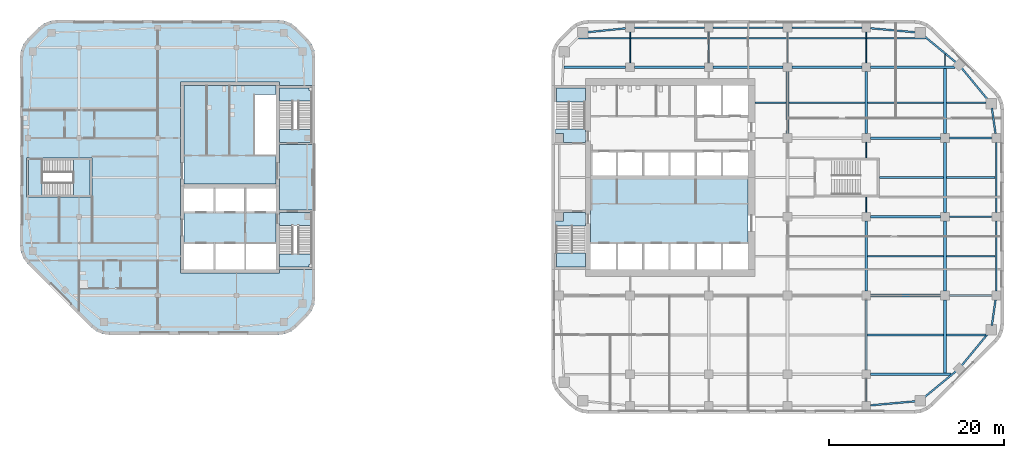
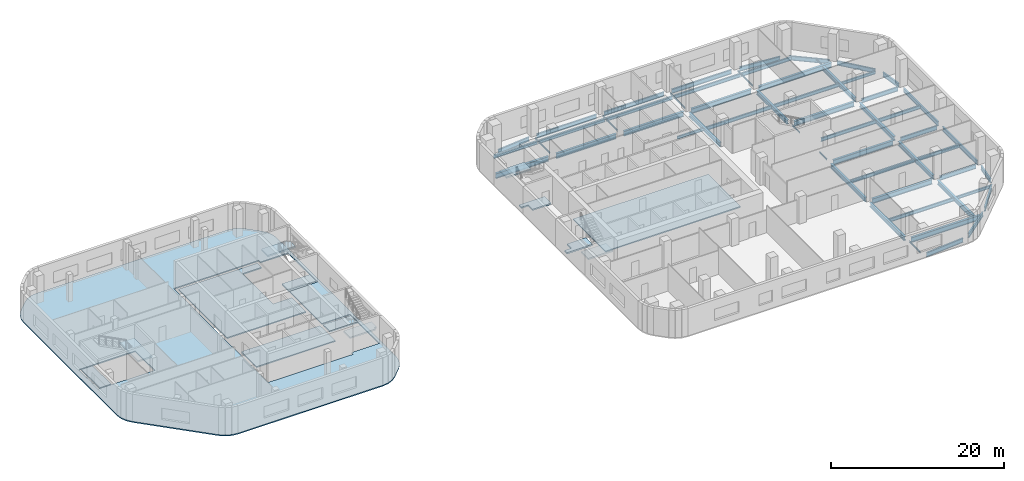
# One storey, part 3 of 14: 57 beams, 14 slabs, 5 elements without a shape of their own.
"""IFC4 building model written with IfcOpenShell, lengths in metres."""

from ifc_helpers import new_model, si_unit, direction, frame, origin, origin_2d, place, context, subcontext, project, spatial, polyline, i_section, outline, extrude, material, layer, layer_set, material_profile, profile_set, type_object, element, aggregate, save


model = new_model("IFC4")

# Units and contexts
model_context = context("Model", 3, precision=1e-05, world=origin(), true_north=direction((0.0, 1.0)))
body_context = subcontext(model_context, "Body", "Model", "MODEL_VIEW")
ifc_project = project(units=[si_unit("LENGTHUNIT", "METRE"), si_unit("AREAUNIT", "SQUARE_METRE"), si_unit("VOLUMEUNIT", "CUBIC_METRE"), si_unit("PLANEANGLEUNIT", "RADIAN"), si_unit("MASSUNIT", "GRAM", prefix="KILO")], contexts=[model_context])

# Site, building, storey
site_placement = place(None, origin())
site = spatial("IfcSite", under=ifc_project, at=site_placement, CompositionType="ELEMENT")
building_placement = place(site_placement, origin())
building = spatial("IfcBuilding", under=site, at=building_placement, Name="Cinnabar Reach Civic Tower", CompositionType="ELEMENT")
storey_placement = place(building_placement, frame((0.0, 0.0, 128.0)))
storey = spatial("IfcBuildingStorey", under=building, at=storey_placement, Name="L30", CompositionType="ELEMENT", Elevation=128.0)

# Beams
ifc_material_1 = material(Name="Steel Q355B", Category="steel")
ifc_material_profile_1 = material_profile(ifc_material_1, i_section(OverallWidth=0.302, OverallDepth=0.594, WebThickness=0.014, FlangeThickness=0.023, FilletRadius=0.016, at=origin_2d()), Name="HM594x302x14x23")
ifc_profile_set_1 = profile_set([ifc_material_profile_1], Name="Steel Q355B")
beam_type_1 = type_object("IfcBeamType", Name="HM594x302x14x23 beam R 180", PredefinedType="BEAM", material=ifc_profile_set_1)
beam_1_placement = place(storey_placement, frame((27.0, 36.502, -0.447), z_axis=(0.0, 1.0, 0.0), x_axis=(-1.0, 0.0, 0.0)))
element("IfcBeam", 1, at=beam_1_placement, inside=storey, type_object=beam_type_1, Name="Girder T1 L30 13", PredefinedType="BEAM", context=body_context, shape_type="SweptSolid", body=[
    extrude(i_section(OverallWidth=0.302, OverallDepth=0.594, WebThickness=0.014, FlangeThickness=0.023, FilletRadius=0.016, at=origin_2d()), origin(), (0.0, 0.0, 1.0), 7.096),
])
for number, where, z_axis, x_axis, name in (
    (2, (36.0, 9.502, -0.447), (0.0, 1.0, 0.0), (-1.0, 0.0, 0.0), "Girder T1 L30 16"),
    (3, (36.0, 18.502, -0.447), (0.0, 1.0, 0.0), (-1.0, 0.0, 0.0), "Girder T1 L30 17"),
):
    element("IfcBeam", number, at=place(storey_placement, frame(where, z_axis=z_axis, x_axis=x_axis)), inside=storey, type_object=beam_type_1, Name=name, PredefinedType="BEAM", context=body_context, shape_type="SweptSolid", body=[
        extrude(i_section(OverallWidth=0.302, OverallDepth=0.594, WebThickness=0.014, FlangeThickness=0.023, FilletRadius=0.016, at=origin_2d()), origin(), (0.0, 0.0, 1.0), 7.996),
    ])
beam_2_placement = place(storey_placement, frame((36.0, 36.502, -0.447), z_axis=(0.0, 1.0, 0.0), x_axis=(-1.0, 0.0, 0.0)))
element("IfcBeam", 4, at=beam_2_placement, inside=storey, type_object=beam_type_1, Name="Girder T1 L30 20", PredefinedType="BEAM", context=body_context, shape_type="SweptSolid", body=[
    extrude(i_section(OverallWidth=0.302, OverallDepth=0.594, WebThickness=0.014, FlangeThickness=0.023, FilletRadius=0.016, at=origin_2d()), origin(), (0.0, 0.0, 1.0), 7.096),
])
beam_3_placement = place(storey_placement, frame((45.0, 9.152, -0.447), z_axis=(0.0, 1.0, 0.0), x_axis=(-1.0, 0.0, 0.0)))
element("IfcBeam", 5, at=beam_3_placement, inside=storey, type_object=beam_type_1, Name="Girder T1 L30 22", PredefinedType="BEAM", context=body_context, shape_type="SweptSolid", body=[
    extrude(i_section(OverallWidth=0.302, OverallDepth=0.594, WebThickness=0.014, FlangeThickness=0.023, FilletRadius=0.016, at=origin_2d()), origin(), (0.0, 0.0, 1.0), 8.346),
])
for number, where, z_axis, x_axis, name in (
    (6, (45.0, 18.502, -0.447), (0.0, 1.0, 0.0), (-1.0, 0.0, 0.0), "Girder T1 L30 23"),
    (7, (45.0, 27.502, -0.447), (0.0, 1.0, 0.0), (-1.0, 0.0, 0.0), "Girder T1 L30 24"),
):
    element("IfcBeam", number, at=place(storey_placement, frame(where, z_axis=z_axis, x_axis=x_axis)), inside=storey, type_object=beam_type_1, Name=name, PredefinedType="BEAM", context=body_context, shape_type="SweptSolid", body=[
        extrude(i_section(OverallWidth=0.302, OverallDepth=0.594, WebThickness=0.014, FlangeThickness=0.023, FilletRadius=0.016, at=origin_2d()), origin(), (0.0, 0.0, 1.0), 7.996),
    ])
beam_4_placement = place(storey_placement, frame((45.0, 36.502, -0.447), z_axis=(0.0, 1.0, 0.0), x_axis=(-1.0, 0.0, 0.0)))
element("IfcBeam", 8, at=beam_4_placement, inside=storey, type_object=beam_type_1, Name="Girder T1 L30 25", PredefinedType="BEAM", context=body_context, shape_type="SweptSolid", body=[
    extrude(i_section(OverallWidth=0.302, OverallDepth=0.594, WebThickness=0.014, FlangeThickness=0.023, FilletRadius=0.016, at=origin_2d()), origin(), (0.0, 0.0, 1.0), 7.446),
])
ifc_material_profile_2 = material_profile(ifc_material_1, i_section(OverallWidth=0.099, OverallDepth=0.198, WebThickness=0.0045, FlangeThickness=0.007, FilletRadius=0.013, at=origin_2d()), Name="HN200x100x5.5x8")
ifc_profile_set_2 = profile_set([ifc_material_profile_2], Name="Steel Q355B")
beam_type_2 = type_object("IfcBeamType", Name="HN200x100x5.5x8 beam R 180", PredefinedType="BEAM", material=ifc_profile_set_2)
for number, where, z_axis, x_axis, name in (
    (9, (9.0, 44.602, -0.249), (0.0, 1.0, 0.0), (-1.0, 0.0, 0.0), "Girder T1 L30 4"),
    (10, (18.0, 44.602, -0.249), (0.0, 1.0, 0.0), (-1.0, 0.0, 0.0), "Girder T1 L30 8"),
    (11, (27.0, 44.602, -0.249), (0.0, 1.0, 0.0), (-1.0, 0.0, 0.0), "Girder T1 L30 14"),
):
    element("IfcBeam", number, at=place(storey_placement, frame(where, z_axis=z_axis, x_axis=x_axis)), inside=storey, type_object=beam_type_2, Name=name, PredefinedType="BEAM", context=body_context, shape_type="SweptSolid", body=[
        extrude(i_section(OverallWidth=0.099, OverallDepth=0.198, WebThickness=0.0045, FlangeThickness=0.007, FilletRadius=0.013, at=origin_2d()), origin(), (0.0, 0.0, 1.0), 3.496),
    ])
beam_5_placement = place(storey_placement, frame((36.0, 5.902, -0.249), z_axis=(0.0, 1.0, 0.0), x_axis=(-1.0, 0.0, 0.0)))
element("IfcBeam", 12, at=beam_5_placement, inside=storey, type_object=beam_type_2, Name="Girder T1 L30 15", PredefinedType="BEAM", context=body_context, shape_type="SweptSolid", body=[
    extrude(i_section(OverallWidth=0.099, OverallDepth=0.198, WebThickness=0.0045, FlangeThickness=0.007, FilletRadius=0.013, at=origin_2d()), origin(), (0.0, 0.0, 1.0), 2.596),
])
for number, where, z_axis, x_axis, name in (
    (13, (36.0, 27.502, -0.249), (0.0, 1.0, 0.0), (-1.0, 0.0, 0.0), "Girder T1 L30 18"),
    (14, (36.0, 33.752, -0.249), (0.0, 1.0, 0.0), (-1.0, 0.0, 0.0), "Girder T1 L30 19"),
):
    element("IfcBeam", number, at=place(storey_placement, frame(where, z_axis=z_axis, x_axis=x_axis)), inside=storey, type_object=beam_type_2, Name=name, PredefinedType="BEAM", context=body_context, shape_type="SweptSolid", body=[
        extrude(i_section(OverallWidth=0.099, OverallDepth=0.198, WebThickness=0.0045, FlangeThickness=0.007, FilletRadius=0.013, at=origin_2d()), origin(), (0.0, 0.0, 1.0), 1.746),
    ])
beam_6_placement = place(storey_placement, frame((36.0, 44.602, -0.249), z_axis=(0.0, 1.0, 0.0), x_axis=(-1.0, 0.0, 0.0)))
element("IfcBeam", 15, at=beam_6_placement, inside=storey, type_object=beam_type_2, Name="Girder T1 L30 21", PredefinedType="BEAM", context=body_context, shape_type="SweptSolid", body=[
    extrude(i_section(OverallWidth=0.099, OverallDepth=0.198, WebThickness=0.0045, FlangeThickness=0.007, FilletRadius=0.013, at=origin_2d()), origin(), (0.0, 0.0, 1.0), 3.496),
])
beam_7_placement = place(storey_placement, frame((45.0, 44.252, -0.249), z_axis=(0.0, 1.0, 0.0), x_axis=(-1.0, 0.0, 0.0)))
element("IfcBeam", 16, at=beam_7_placement, inside=storey, type_object=beam_type_2, Name="Girder T1 L30 26", PredefinedType="BEAM", context=body_context, shape_type="SweptSolid", body=[
    extrude(i_section(OverallWidth=0.099, OverallDepth=0.198, WebThickness=0.0045, FlangeThickness=0.007, FilletRadius=0.013, at=origin_2d()), origin(), (0.0, 0.0, 1.0), 1.3103),
])
ifc_material_profile_3 = material_profile(ifc_material_1, i_section(OverallWidth=0.199, OverallDepth=0.396, WebThickness=0.007, FlangeThickness=0.011, FilletRadius=0.013, at=origin_2d()), Name="HN396x199x7x11")
ifc_profile_set_3 = profile_set([ifc_material_profile_3], Name="Steel Q355B")
beam_type_3 = type_object("IfcBeamType", Name="HN396x199x7x11 beam R 180", PredefinedType="BEAM", material=ifc_profile_set_3)
beam_8_placement = place(storey_placement, frame((45.153, 13.5, -0.348), z_axis=(1.0, 0.0, 0.0), x_axis=(0.0, 1.0, 0.0)))
element("IfcBeam", 17, at=beam_8_placement, inside=storey, type_object=beam_type_3, Name="Secondary beam T1 L30 6", PredefinedType="BEAM", context=body_context, shape_type="SweptSolid", body=[
    extrude(i_section(OverallWidth=0.199, OverallDepth=0.396, WebThickness=0.007, FlangeThickness=0.011, FilletRadius=0.013, at=origin_2d()), origin(), (0.0, 0.0, 1.0), 4.5152),
])
beam_9_placement = place(storey_placement, frame((23.302, 40.05, -0.348), z_axis=(1.0, 0.0, 0.0), x_axis=(0.0, 1.0, 0.0)))
element("IfcBeam", 18, at=beam_9_placement, inside=storey, type_object=beam_type_3, Name="Secondary beam T1 L30 16", PredefinedType="BEAM", context=body_context, shape_type="SweptSolid", body=[
    extrude(i_section(OverallWidth=0.199, OverallDepth=0.396, WebThickness=0.007, FlangeThickness=0.011, FilletRadius=0.013, at=origin_2d()), origin(), (0.0, 0.0, 1.0), 3.545),
])
beam_10_placement = place(storey_placement, frame((45.153, 40.05, -0.348), z_axis=(1.0, 0.0, 0.0), x_axis=(0.0, 1.0, 0.0)))
element("IfcBeam", 19, at=beam_10_placement, inside=storey, type_object=beam_type_3, Name="Secondary beam T1 L30 19", PredefinedType="BEAM", context=body_context, shape_type="SweptSolid", body=[
    extrude(i_section(OverallWidth=0.199, OverallDepth=0.396, WebThickness=0.007, FlangeThickness=0.011, FilletRadius=0.013, at=origin_2d()), origin(), (0.0, 0.0, 1.0), 4.5419),
])
ifc_material_profile_4 = material_profile(ifc_material_1, i_section(OverallWidth=0.199, OverallDepth=0.496, WebThickness=0.009, FlangeThickness=0.014, FilletRadius=0.016, at=origin_2d()), Name="HN496x199x9x14")
ifc_profile_set_4 = profile_set([ifc_material_profile_4], Name="Steel Q355B")
beam_type_4 = type_object("IfcBeamType", Name="HN496x199x9x14 beam R 180", PredefinedType="BEAM", material=ifc_profile_set_4)
for number, where, z_axis, x_axis, name in (
    (20, (36.153, 13.5, -0.398), (1.0, 0.0, 0.0), (0.0, 1.0, 0.0), "Secondary beam T1 L30 5"),
    (21, (36.153, 22.5, -0.398), (1.0, 0.0, 0.0), (0.0, 1.0, 0.0), "Secondary beam T1 L30 9"),
):
    element("IfcBeam", number, at=place(storey_placement, frame(where, z_axis=z_axis, x_axis=x_axis)), inside=storey, type_object=beam_type_4, Name=name, PredefinedType="BEAM", context=body_context, shape_type="SweptSolid", body=[
        extrude(i_section(OverallWidth=0.199, OverallDepth=0.496, WebThickness=0.009, FlangeThickness=0.014, FilletRadius=0.016, at=origin_2d()), origin(), (0.0, 0.0, 1.0), 8.694),
    ])
beam_11_placement = place(storey_placement, frame((45.153, 22.5, -0.398), z_axis=(1.0, 0.0, 0.0), x_axis=(0.0, 1.0, 0.0)))
element("IfcBeam", 22, at=beam_11_placement, inside=storey, type_object=beam_type_4, Name="Secondary beam T1 L30 10", PredefinedType="BEAM", context=body_context, shape_type="SweptSolid", body=[
    extrude(i_section(OverallWidth=0.199, OverallDepth=0.496, WebThickness=0.009, FlangeThickness=0.014, FilletRadius=0.016, at=origin_2d()), origin(), (0.0, 0.0, 1.0), 5.595),
])
beam_12_placement = place(storey_placement, frame((37.502, 31.5, -0.398), z_axis=(1.0, 0.0, 0.0), x_axis=(0.0, 1.0, 0.0)))
element("IfcBeam", 23, at=beam_12_placement, inside=storey, type_object=beam_type_4, Name="Secondary beam T1 L30 14", PredefinedType="BEAM", context=body_context, shape_type="SweptSolid", body=[
    extrude(i_section(OverallWidth=0.199, OverallDepth=0.496, WebThickness=0.009, FlangeThickness=0.014, FilletRadius=0.016, at=origin_2d()), origin(), (0.0, 0.0, 1.0), 7.345),
])
beam_13_placement = place(storey_placement, frame((45.153, 31.5, -0.398), z_axis=(1.0, 0.0, 0.0), x_axis=(0.0, 1.0, 0.0)))
element("IfcBeam", 24, at=beam_13_placement, inside=storey, type_object=beam_type_4, Name="Secondary beam T1 L30 15", PredefinedType="BEAM", context=body_context, shape_type="SweptSolid", body=[
    extrude(i_section(OverallWidth=0.199, OverallDepth=0.496, WebThickness=0.009, FlangeThickness=0.014, FilletRadius=0.016, at=origin_2d()), origin(), (0.0, 0.0, 1.0), 5.595),
])
for number, where, z_axis, x_axis, name in (
    (25, (27.153, 40.05, -0.398), (1.0, 0.0, 0.0), (0.0, 1.0, 0.0), "Secondary beam T1 L30 17"),
    (26, (36.153, 40.05, -0.398), (1.0, 0.0, 0.0), (0.0, 1.0, 0.0), "Secondary beam T1 L30 18"),
):
    element("IfcBeam", number, at=place(storey_placement, frame(where, z_axis=z_axis, x_axis=x_axis)), inside=storey, type_object=beam_type_4, Name=name, PredefinedType="BEAM", context=body_context, shape_type="SweptSolid", body=[
        extrude(i_section(OverallWidth=0.199, OverallDepth=0.496, WebThickness=0.009, FlangeThickness=0.014, FilletRadius=0.016, at=origin_2d()), origin(), (0.0, 0.0, 1.0), 8.694),
    ])
beam_14_placement = place(storey_placement, frame((3.0992, 47.4, -0.398), z_axis=(1.0, 0.0, 0.0), x_axis=(0.0, 1.0, 0.0)))
element("IfcBeam", 27, at=beam_14_placement, inside=storey, type_object=beam_type_4, Name="Secondary beam T1 L30 20", PredefinedType="BEAM", context=body_context, shape_type="SweptSolid", body=[
    extrude(i_section(OverallWidth=0.199, OverallDepth=0.496, WebThickness=0.009, FlangeThickness=0.014, FilletRadius=0.016, at=origin_2d()), origin(), (0.0, 0.0, 1.0), 5.8493),
])
for number, where, z_axis, x_axis, name in (
    (28, (9.0515, 47.4, -0.398), (1.0, 0.0, 0.0), (0.0, 1.0, 0.0), "Secondary beam T1 L30 21"),
    (29, (18.0515, 47.4, -0.398), (1.0, 0.0, 0.0), (0.0, 1.0, 0.0), "Secondary beam T1 L30 22"),
    (30, (27.0515, 47.4, -0.398), (1.0, 0.0, 0.0), (0.0, 1.0, 0.0), "Secondary beam T1 L30 23"),
):
    element("IfcBeam", number, at=place(storey_placement, frame(where, z_axis=z_axis, x_axis=x_axis)), inside=storey, type_object=beam_type_4, Name=name, PredefinedType="BEAM", context=body_context, shape_type="SweptSolid", body=[
        extrude(i_section(OverallWidth=0.199, OverallDepth=0.496, WebThickness=0.009, FlangeThickness=0.014, FilletRadius=0.016, at=origin_2d()), origin(), (0.0, 0.0, 1.0), 8.897),
    ])
beam_15_placement = place(storey_placement, frame((36.0515, 47.4, -0.398), z_axis=(1.0, 0.0, 0.0), x_axis=(0.0, 1.0, 0.0)))
element("IfcBeam", 31, at=beam_15_placement, inside=storey, type_object=beam_type_4, Name="Secondary beam T1 L30 24", PredefinedType="BEAM", context=body_context, shape_type="SweptSolid", body=[
    extrude(i_section(OverallWidth=0.199, OverallDepth=0.496, WebThickness=0.009, FlangeThickness=0.014, FilletRadius=0.016, at=origin_2d()), origin(), (0.0, 0.0, 1.0), 6.7206),
])
ifc_material_profile_5 = material_profile(ifc_material_1, i_section(OverallWidth=0.199, OverallDepth=0.596, WebThickness=0.01, FlangeThickness=0.015, FilletRadius=0.016, at=origin_2d()), Name="HN596x199x10x15")
ifc_profile_set_5 = profile_set([ifc_material_profile_5], Name="Steel Q355B")
beam_type_5 = type_object("IfcBeamType", Name="HN596x199x10x15 beam R 180", PredefinedType="BEAM", material=ifc_profile_set_5)
for number, where, z_axis, x_axis, name in (
    (32, (45.502, 18.0, -0.448), (1.0, 0.0, 0.0), (0.0, 1.0, 0.0), "Girder T1 L30 11"),
    (33, (45.502, 27.0, -0.448), (1.0, 0.0, 0.0), (0.0, 1.0, 0.0), "Girder T1 L30 15"),
    (34, (45.502, 36.0, -0.448), (1.0, 0.0, 0.0), (0.0, 1.0, 0.0), "Girder T1 L30 19"),
):
    element("IfcBeam", number, at=place(storey_placement, frame(where, z_axis=z_axis, x_axis=x_axis)), inside=storey, type_object=beam_type_5, Name=name, PredefinedType="BEAM", context=body_context, shape_type="SweptSolid", body=[
        extrude(i_section(OverallWidth=0.199, OverallDepth=0.596, WebThickness=0.01, FlangeThickness=0.015, FilletRadius=0.016, at=origin_2d()), origin(), (0.0, 0.0, 1.0), 4.846),
    ])
ifc_material_profile_6 = material_profile(ifc_material_1, i_section(OverallWidth=0.2, OverallDepth=0.6, WebThickness=0.011, FlangeThickness=0.017, FilletRadius=0.016, at=origin_2d()), Name="HN600x200x11x17")
ifc_profile_set_6 = profile_set([ifc_material_profile_6], Name="Steel Q355B")
beam_type_6 = type_object("IfcBeamType", Name="HN600x200x11x17 beam R 180", PredefinedType="BEAM", material=ifc_profile_set_6)
beam_16_placement = place(storey_placement, frame((36.502, 5.4452, -0.45), z_axis=(0.995979069281, 0.089586235294, 0.0), x_axis=(-0.089586235294, 0.995979069281, 0.0)))
element("IfcBeam", 35, at=beam_16_placement, inside=storey, type_object=beam_type_6, Name="Edge beam T1 L30 5", PredefinedType="BEAM", context=body_context, shape_type="SweptSolid", body=[
    extrude(i_section(OverallWidth=0.2, OverallDepth=0.6, WebThickness=0.011, FlangeThickness=0.017, FilletRadius=0.016, at=origin_2d()), origin(), (0.0, 0.0, 1.0), 5.1849),
])
for number, where, z_axis, x_axis, name in (
    (36, (42.6301, 6.3507, -0.45), (0.77143827905, 0.6363041581, 0.0), (-0.6363041581, 0.77143827905, 0.0), "Edge beam T1 L30 6"),
    (37, (46.8961, 9.9789, -0.45), (0.6363041581, 0.77143827905, 0.0), (-0.77143827905, 0.6363041581, 0.0), "Edge beam T1 L30 7"),
):
    element("IfcBeam", number, at=place(storey_placement, frame(where, z_axis=z_axis, x_axis=x_axis)), inside=storey, type_object=beam_type_6, Name=name, PredefinedType="BEAM", context=body_context, shape_type="SweptSolid", body=[
        extrude(i_section(OverallWidth=0.2, OverallDepth=0.6, WebThickness=0.011, FlangeThickness=0.017, FilletRadius=0.016, at=origin_2d()), origin(), (0.0, 0.0, 1.0), 4.7198),
    ])
beam_17_placement = place(storey_placement, frame((50.3653, 14.5839, -0.45), z_axis=(0.140489003738, 0.990082238922, 0.0), x_axis=(-0.990082238922, 0.140489003738, 0.0)))
element("IfcBeam", 38, at=beam_17_placement, inside=storey, type_object=beam_type_6, Name="Edge beam T1 L30 8", PredefinedType="BEAM", context=body_context, shape_type="SweptSolid", body=[
    extrude(i_section(OverallWidth=0.2, OverallDepth=0.6, WebThickness=0.011, FlangeThickness=0.017, FilletRadius=0.016, at=origin_2d()), origin(), (0.0, 0.0, 1.0), 2.9433),
])
for number, where, z_axis, x_axis, name in (
    (39, (50.85, 18.502, -0.45), (0.0, 1.0, 0.0), (-1.0, 0.0, 0.0), "Edge beam T1 L30 9"),
    (40, (50.85, 27.502, -0.45), (0.0, 1.0, 0.0), (-1.0, 0.0, 0.0), "Edge beam T1 L30 10"),
):
    element("IfcBeam", number, at=place(storey_placement, frame(where, z_axis=z_axis, x_axis=x_axis)), inside=storey, type_object=beam_type_6, Name=name, PredefinedType="BEAM", context=body_context, shape_type="SweptSolid", body=[
        extrude(i_section(OverallWidth=0.2, OverallDepth=0.6, WebThickness=0.011, FlangeThickness=0.017, FilletRadius=0.016, at=origin_2d()), origin(), (0.0, 0.0, 1.0), 7.996),
    ])
beam_18_placement = place(storey_placement, frame((50.7788, 36.502, -0.45), z_axis=(-0.140489003738, 0.990082238922, 0.0), x_axis=(-0.990082238922, -0.140489003738, 0.0)))
element("IfcBeam", 41, at=beam_18_placement, inside=storey, type_object=beam_type_6, Name="Edge beam T1 L30 11", PredefinedType="BEAM", context=body_context, shape_type="SweptSolid", body=[
    extrude(i_section(OverallWidth=0.2, OverallDepth=0.6, WebThickness=0.011, FlangeThickness=0.017, FilletRadius=0.016, at=origin_2d()), origin(), (0.0, 0.0, 1.0), 2.9433),
])
for number, where, z_axis, x_axis, name in (
    (42, (49.8993, 40.3801, -0.45), (-0.6363041581, 0.77143827905, 0.0), (-0.77143827905, -0.6363041581, 0.0), "Edge beam T1 L30 12"),
    (43, (46.2711, 44.6461, -0.45), (-0.77143827905, 0.6363041581, 0.0), (-0.6363041581, -0.77143827905, 0.0), "Edge beam T1 L30 13"),
):
    element("IfcBeam", number, at=place(storey_placement, frame(where, z_axis=z_axis, x_axis=x_axis)), inside=storey, type_object=beam_type_6, Name=name, PredefinedType="BEAM", context=body_context, shape_type="SweptSolid", body=[
        extrude(i_section(OverallWidth=0.2, OverallDepth=0.6, WebThickness=0.011, FlangeThickness=0.017, FilletRadius=0.016, at=origin_2d()), origin(), (0.0, 0.0, 1.0), 4.7198),
    ])
beam_19_placement = place(storey_placement, frame((41.6661, 48.0903, -0.45), z_axis=(-0.995979069281, 0.089586235294, 0.0), x_axis=(-0.089586235294, -0.995979069281, 0.0)))
element("IfcBeam", 44, at=beam_19_placement, inside=storey, type_object=beam_type_6, Name="Edge beam T1 L30 14", PredefinedType="BEAM", context=body_context, shape_type="SweptSolid", body=[
    extrude(i_section(OverallWidth=0.2, OverallDepth=0.6, WebThickness=0.011, FlangeThickness=0.017, FilletRadius=0.016, at=origin_2d()), origin(), (0.0, 0.0, 1.0), 5.1849),
])
for number, where, z_axis, x_axis, name in (
    (45, (35.498, 48.6, -0.45), (-1.0, 0.0, 0.0), (0.0, -1.0, 0.0), "Edge beam T1 L30 15"),
    (46, (26.498, 48.6, -0.45), (-1.0, 0.0, 0.0), (0.0, -1.0, 0.0), "Edge beam T1 L30 16"),
    (47, (17.498, 48.6, -0.45), (-1.0, 0.0, 0.0), (0.0, -1.0, 0.0), "Edge beam T1 L30 17"),
):
    element("IfcBeam", number, at=place(storey_placement, frame(where, z_axis=z_axis, x_axis=x_axis)), inside=storey, type_object=beam_type_6, Name=name, PredefinedType="BEAM", context=body_context, shape_type="SweptSolid", body=[
        extrude(i_section(OverallWidth=0.2, OverallDepth=0.6, WebThickness=0.011, FlangeThickness=0.017, FilletRadius=0.016, at=origin_2d()), origin(), (0.0, 0.0, 1.0), 7.996),
    ])
beam_20_placement = place(storey_placement, frame((8.498, 48.5486, -0.45), z_axis=(-0.994791228755, -0.101933366432, 0.0), x_axis=(0.101933366432, -0.994791228755, 0.0)))
element("IfcBeam", 48, at=beam_20_placement, inside=storey, type_object=beam_type_6, Name="Edge beam T1 L30 18", PredefinedType="BEAM", context=body_context, shape_type="SweptSolid", body=[
    extrude(i_section(OverallWidth=0.2, OverallDepth=0.6, WebThickness=0.011, FlangeThickness=0.017, FilletRadius=0.016, at=origin_2d()), origin(), (0.0, 0.0, 1.0), 4.4372),
])
ifc_material_profile_7 = material_profile(ifc_material_1, i_section(OverallWidth=0.3, OverallDepth=0.692, WebThickness=0.013, FlangeThickness=0.02, FilletRadius=0.016, at=origin_2d()), Name="HN692x300x13x20")
ifc_profile_set_7 = profile_set([ifc_material_profile_7], Name="Steel Q355B")
beam_type_7 = type_object("IfcBeamType", Name="HN692x300x13x20 beam R 180", PredefinedType="BEAM", material=ifc_profile_set_7)
beam_21_placement = place(storey_placement, frame((36.502, 9.0, -0.496), z_axis=(1.0, 0.0, 0.0), x_axis=(0.0, 1.0, 0.0)))
element("IfcBeam", 49, at=beam_21_placement, inside=storey, type_object=beam_type_7, Name="Girder T1 L30 5", PredefinedType="BEAM", context=body_context, shape_type="SweptSolid", body=[
    extrude(i_section(OverallWidth=0.3, OverallDepth=0.692, WebThickness=0.013, FlangeThickness=0.02, FilletRadius=0.016, at=origin_2d()), origin(), (0.0, 0.0, 1.0), 9.1798),
])
for number, where, z_axis, x_axis, name in (
    (50, (36.502, 18.0, -0.496), (1.0, 0.0, 0.0), (0.0, 1.0, 0.0), "Girder T1 L30 10"),
    (51, (36.502, 27.0, -0.496), (1.0, 0.0, 0.0), (0.0, 1.0, 0.0), "Girder T1 L30 14"),
    (52, (36.502, 36.0, -0.496), (1.0, 0.0, 0.0), (0.0, 1.0, 0.0), "Girder T1 L30 18"),
):
    element("IfcBeam", number, at=place(storey_placement, frame(where, z_axis=z_axis, x_axis=x_axis)), inside=storey, type_object=beam_type_7, Name=name, PredefinedType="BEAM", context=body_context, shape_type="SweptSolid", body=[
        extrude(i_section(OverallWidth=0.3, OverallDepth=0.692, WebThickness=0.013, FlangeThickness=0.02, FilletRadius=0.016, at=origin_2d()), origin(), (0.0, 0.0, 1.0), 7.996),
    ])
beam_22_placement = place(storey_placement, frame((1.4548, 44.1, -0.496), z_axis=(1.0, 0.0, 0.0), x_axis=(0.0, 1.0, 0.0)))
element("IfcBeam", 53, at=beam_22_placement, inside=storey, type_object=beam_type_7, Name="Girder T1 L30 20", PredefinedType="BEAM", context=body_context, shape_type="SweptSolid", body=[
    extrude(i_section(OverallWidth=0.3, OverallDepth=0.692, WebThickness=0.013, FlangeThickness=0.02, FilletRadius=0.016, at=origin_2d()), origin(), (0.0, 0.0, 1.0), 7.0432),
])
for number, where, z_axis, x_axis, name in (
    (54, (9.502, 44.1, -0.496), (1.0, 0.0, 0.0), (0.0, 1.0, 0.0), "Girder T1 L30 21"),
    (55, (18.502, 44.1, -0.496), (1.0, 0.0, 0.0), (0.0, 1.0, 0.0), "Girder T1 L30 22"),
    (56, (27.502, 44.1, -0.496), (1.0, 0.0, 0.0), (0.0, 1.0, 0.0), "Girder T1 L30 23"),
):
    element("IfcBeam", number, at=place(storey_placement, frame(where, z_axis=z_axis, x_axis=x_axis)), inside=storey, type_object=beam_type_7, Name=name, PredefinedType="BEAM", context=body_context, shape_type="SweptSolid", body=[
        extrude(i_section(OverallWidth=0.3, OverallDepth=0.692, WebThickness=0.013, FlangeThickness=0.02, FilletRadius=0.016, at=origin_2d()), origin(), (0.0, 0.0, 1.0), 7.996),
    ])
beam_23_placement = place(storey_placement, frame((36.502, 44.1, -0.496), z_axis=(1.0, 0.0, 0.0), x_axis=(0.0, 1.0, 0.0)))
element("IfcBeam", 57, at=beam_23_placement, inside=storey, type_object=beam_type_7, Name="Girder T1 L30 24", PredefinedType="BEAM", context=body_context, shape_type="SweptSolid", body=[
    extrude(i_section(OverallWidth=0.3, OverallDepth=0.692, WebThickness=0.013, FlangeThickness=0.02, FilletRadius=0.016, at=origin_2d()), origin(), (0.0, 0.0, 1.0), 9.6653),
])

# Slab
ifc_material_2 = material(Name="Concrete C40", Category="concrete")
ifc_layer_1 = layer(ifc_material_2, 0.15)
ifc_layer_set_1 = layer_set([ifc_layer_1], Name="Composite floor slab 150 REI 120")
slab_type_1 = type_object("IfcSlabType", Name="Composite floor slab 150 REI 120", PredefinedType="FLOOR", material=ifc_layer_set_1)
slab_1_placement = place(storey_placement, frame((0.0, 0.0, -0.15)))
element("IfcSlab", 58, at=slab_1_placement, inside=storey, type_object=slab_type_1, Name="Composite floor slab 150 T2 L30", PredefinedType="FLOOR", context=body_context, shape_type="SweptSolid", body=[
    extrude(outline(polyline([(-59.8713, 21.6213), (-60.3481, 22.2426), (-60.6478, 22.9662), (-60.75, 23.7426), (-60.75, 45.2574), (-60.6478, 46.0338), (-60.3481, 46.7574), (-59.8713, 47.3787), (-58.6287, 48.6213), (-58.0074, 49.0981), (-57.2838, 49.3978), (-56.5074, 49.5), (-31.2426, 49.5), (-30.4662, 49.3978), (-29.7426, 49.0981), (-29.1213, 48.6213), (-27.8787, 47.3787), (-27.4019, 46.7574), (-27.1022, 46.0338), (-27.0, 45.2574), (-27.0, 17.7426), (-27.1022, 16.9662), (-27.4019, 16.2426), (-27.8787, 15.6213), (-29.1213, 14.3787), (-29.7426, 13.9019), (-30.4662, 13.6022), (-31.2426, 13.5), (-50.5074, 13.5), (-51.2838, 13.6022), (-52.0074, 13.9019), (-52.6287, 14.3787), (-59.8713, 21.6213)]), holes=[polyline([(-31.1, 27.75), (-31.1, 35.25), (-27.36, 35.25), (-27.36, 42.0), (-31.1, 42.0), (-31.1, 42.4), (-42.4, 42.4), (-42.4, 20.6), (-31.1, 20.6), (-31.1, 21.0), (-27.36, 21.0), (-27.36, 27.75), (-31.1, 27.75)]), polyline([(-60.0, 33.75), (-60.0, 29.25), (-52.5, 29.25), (-52.5, 33.75), (-60.0, 33.75)])]), origin(), (0.0, 0.0, 1.0), 0.15),
])

# Stair, slabs
ifc_material_3 = material(Name="Concrete C40/50", Category="concrete")
stair_type_1 = type_object("IfcStairType", Name="T1 Exit stair, half-turn", PredefinedType="HALF_TURN_STAIR", material=ifc_material_3)
stair_1_placement = place(storey_placement, origin())
stair_1 = element("IfcStair", 59, at=stair_1_placement, inside=storey, type_object=stair_type_1, Name="Stair T1-S1", PredefinedType="HALF_TURN_STAIR")
ifc_layer_2 = layer(ifc_material_3, 0.2)
ifc_layer_set_2 = layer_set([ifc_layer_2], Name="T1 Stair landing 200, Concrete C40/50")
slab_type_2 = type_object("IfcSlabType", Name="T1 Stair landing 200, Concrete C40/50", PredefinedType="LANDING", material=ifc_layer_set_2)
slab_2_placement = place(storey_placement, frame((0.0, 0.0, -0.2)))
slab_2 = element("IfcSlab", 60, at=slab_2_placement, type_object=slab_type_2, Name="T1-S1 landing 1", PredefinedType="LANDING", context=body_context, shape_type="SweptSolid", body=[
    extrude(outline(polyline([(3.9, 27.5), (3.9, 25.95), (0.5, 25.95), (0.5, 26.5), (1.4, 26.5), (1.4, 27.5), (3.9, 27.5)])), origin(), (0.0, 0.0, 1.0), 0.2),
])
slab_3_placement = place(storey_placement, frame((0.0, 0.0, 1.8)))
slab_3 = element("IfcSlab", 61, at=slab_3_placement, type_object=slab_type_2, Name="T1-S1 landing 2", PredefinedType="LANDING", context=body_context, shape_type="SweptSolid", body=[
    extrude(outline(polyline([(0.6, 21.25), (0.6, 22.87), (3.9, 22.87), (3.9, 21.25), (0.6, 21.25)])), origin(), (0.0, 0.0, 1.0), 0.2),
])
aggregate(stair_1, [slab_2, slab_3])

stair_2_placement = place(storey_placement, origin())
stair_2 = element("IfcStair", 62, at=stair_2_placement, inside=storey, type_object=stair_type_1, Name="Stair T1-S2", PredefinedType="HALF_TURN_STAIR")
slab_4_placement = place(storey_placement, frame((0.0, 0.0, -0.2)))
slab_4 = element("IfcSlab", 63, at=slab_4_placement, type_object=slab_type_2, Name="T1-S2 landing 1", PredefinedType="LANDING", context=body_context, shape_type="SweptSolid", body=[
    extrude(outline(polyline([(0.5, 37.05), (3.9, 37.05), (3.9, 35.5), (1.4, 35.5), (1.4, 36.5), (0.5, 36.5), (0.5, 37.05)])), origin(), (0.0, 0.0, 1.0), 0.2),
])
slab_5_placement = place(storey_placement, frame((0.0, 0.0, 1.8)))
slab_5 = element("IfcSlab", 64, at=slab_5_placement, type_object=slab_type_2, Name="T1-S2 landing 2", PredefinedType="LANDING", context=body_context, shape_type="SweptSolid", body=[
    extrude(outline(polyline([(0.6, 40.13), (0.6, 41.75), (3.9, 41.75), (3.9, 40.13), (0.6, 40.13)])), origin(), (0.0, 0.0, 1.0), 0.2),
])
aggregate(stair_2, [slab_4, slab_5])

# Slabs
ifc_layer_3 = layer(ifc_material_3, 0.15)
ifc_layer_set_3 = layer_set([ifc_layer_3], Name="T1 core floor slab 150")
slab_type_3 = type_object("IfcSlabType", Name="T1 core floor slab 150", PredefinedType="FLOOR", material=ifc_layer_set_3)
slab_6_placement = place(storey_placement, frame((0.0, 0.0, -0.15)))
element("IfcSlab", 65, at=slab_6_placement, inside=storey, type_object=slab_type_3, Name="Core floor slab L30", PredefinedType="FLOOR", context=body_context, shape_type="SweptSolid", body=[
    extrude(outline(polyline([(22.5, 24.0), (19.5, 24.0), (16.5, 24.0), (13.5, 24.0), (10.5, 24.0), (7.5, 24.0), (4.5, 24.0), (4.5, 31.5), (7.5, 31.5), (10.5, 31.5), (13.5, 31.5), (16.5, 31.5), (19.5, 31.5), (22.5, 31.5), (22.5, 24.0)])), origin(), (0.0, 0.0, 1.0), 0.15),
])
ifc_layer_4 = layer(ifc_material_2, 0.15)
ifc_layer_set_4 = layer_set([ifc_layer_4], Name="T2 Core floor slab 150")
slab_type_4 = type_object("IfcSlabType", Name="T2 Core floor slab 150", PredefinedType="FLOOR", material=ifc_layer_set_4)
slab_7_placement = place(storey_placement, frame((0.0, 0.0, -0.15)))
element("IfcSlab", 66, at=slab_7_placement, inside=storey, type_object=slab_type_4, Name="Core floor slab L30", PredefinedType="FLOOR", context=body_context, shape_type="SweptSolid", body=[
    extrude(outline(polyline([(-42.0, 42.0), (-31.5, 42.0), (-31.5, 41.0), (-34.0, 41.0), (-34.0, 34.0), (-31.5, 34.0), (-31.5, 30.75), (-42.0, 30.75), (-42.0, 42.0)])), origin(), (0.0, 0.0, 1.0), 0.15),
])
slab_8_placement = place(storey_placement, frame((0.0, 0.0, -0.15)))
element("IfcSlab", 67, at=slab_8_placement, inside=storey, type_object=slab_type_4, Name="Core floor slab L30", PredefinedType="FLOOR", context=body_context, shape_type="SweptSolid", body=[
    extrude(outline(polyline([(-35.0, 24.0), (-38.5, 24.0), (-42.0, 24.0), (-42.0, 27.5), (-38.5, 27.5), (-35.0, 27.5), (-31.5, 27.5), (-31.5, 24.0), (-35.0, 24.0)])), origin(), (0.0, 0.0, 1.0), 0.15),
])

# Stair, slabs
stair_type_2 = type_object("IfcStairType", Name="T2 Exit stair 1500", PredefinedType="HALF_TURN_STAIR", material=ifc_material_2)
stair_3_placement = place(storey_placement, origin())
stair_3 = element("IfcStair", 68, at=stair_3_placement, inside=storey, type_object=stair_type_2, Name="Exit stair 1", PredefinedType="HALF_TURN_STAIR")
ifc_layer_5 = layer(ifc_material_2, 0.2)
ifc_layer_set_5 = layer_set([ifc_layer_5], Name="T2 Stair landing 200")
slab_type_5 = type_object("IfcSlabType", Name="T2 Stair landing 200", PredefinedType="LANDING", material=ifc_layer_set_5)
slab_9_placement = place(storey_placement, frame((0.0, 0.0, -0.2)))
slab_9 = element("IfcSlab", 69, at=slab_9_placement, type_object=slab_type_5, Name="ST1 landing 1", PredefinedType="LANDING", context=body_context, shape_type="SweptSolid", body=[
    extrude(outline(polyline([(-31.1, 26.0), (-31.1, 27.5), (-27.4, 27.5), (-27.4, 26.0), (-31.1, 26.0)])), origin(), (0.0, 0.0, 1.0), 0.2),
])
slab_10_placement = place(storey_placement, frame((0.0, 0.0, 1.8)))
slab_10 = element("IfcSlab", 70, at=slab_10_placement, type_object=slab_type_5, Name="ST1 landing 2", PredefinedType="LANDING", context=body_context, shape_type="SweptSolid", body=[
    extrude(outline(polyline([(-31.1, 21.25), (-31.1, 22.75), (-27.4, 22.75), (-27.4, 21.55), (-27.7, 21.55), (-27.7, 21.25), (-31.1, 21.25)])), origin(), (0.0, 0.0, 1.0), 0.2),
])
aggregate(stair_3, [slab_9, slab_10])

stair_4_placement = place(storey_placement, origin())
stair_4 = element("IfcStair", 71, at=stair_4_placement, inside=storey, type_object=stair_type_2, Name="Exit stair 2", PredefinedType="HALF_TURN_STAIR")
slab_11_placement = place(storey_placement, frame((0.0, 0.0, -0.2)))
slab_11 = element("IfcSlab", 72, at=slab_11_placement, type_object=slab_type_5, Name="ST2 landing 1", PredefinedType="LANDING", context=body_context, shape_type="SweptSolid", body=[
    extrude(outline(polyline([(-31.1, 35.5), (-31.1, 37.0), (-27.4, 37.0), (-27.4, 35.5), (-31.1, 35.5)])), origin(), (0.0, 0.0, 1.0), 0.2),
])
slab_12_placement = place(storey_placement, frame((0.0, 0.0, 1.8)))
slab_12 = element("IfcSlab", 73, at=slab_12_placement, type_object=slab_type_5, Name="ST2 landing 2", PredefinedType="LANDING", context=body_context, shape_type="SweptSolid", body=[
    extrude(outline(polyline([(-27.4, 40.25), (-31.1, 40.25), (-31.1, 41.75), (-27.7, 41.75), (-27.7, 41.45), (-27.4, 41.45), (-27.4, 40.25)])), origin(), (0.0, 0.0, 1.0), 0.2),
])
aggregate(stair_4, [slab_11, slab_12])

stair_5_placement = place(storey_placement, origin())
stair_5 = element("IfcStair", 74, at=stair_5_placement, inside=storey, type_object=stair_type_2, Name="Exit stair 3", PredefinedType="HALF_TURN_STAIR")
slab_13_placement = place(storey_placement, frame((0.0, 0.0, -0.2)))
slab_13 = element("IfcSlab", 75, at=slab_13_placement, type_object=slab_type_5, Name="ST3 landing 1", PredefinedType="LANDING", context=body_context, shape_type="SweptSolid", body=[
    extrude(outline(polyline([(-59.75, 29.375), (-59.75, 33.625), (-58.25, 33.625), (-58.25, 29.375), (-59.75, 29.375)])), origin(), (0.0, 0.0, 1.0), 0.2),
])
slab_14_placement = place(storey_placement, frame((0.0, 0.0, 1.8)))
slab_14 = element("IfcSlab", 76, at=slab_14_placement, type_object=slab_type_5, Name="ST3 landing 2", PredefinedType="LANDING", context=body_context, shape_type="SweptSolid", body=[
    extrude(outline(polyline([(-54.65, 29.375), (-54.65, 33.625), (-52.75, 33.625), (-52.75, 29.375), (-54.65, 29.375)])), origin(), (0.0, 0.0, 1.0), 0.2),
])
aggregate(stair_5, [slab_13, slab_14])

save(model, "model.ifc")
